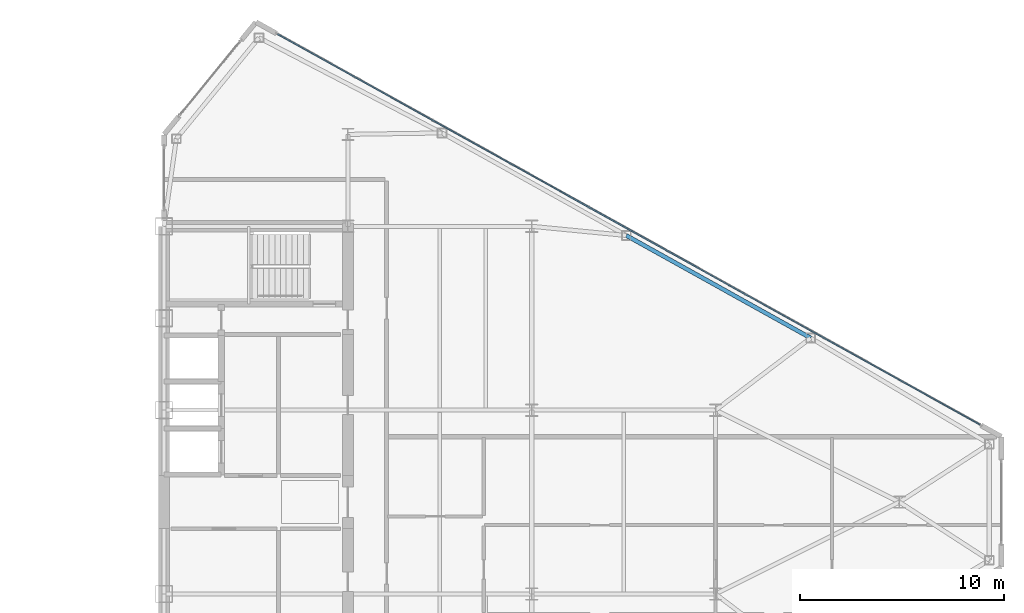
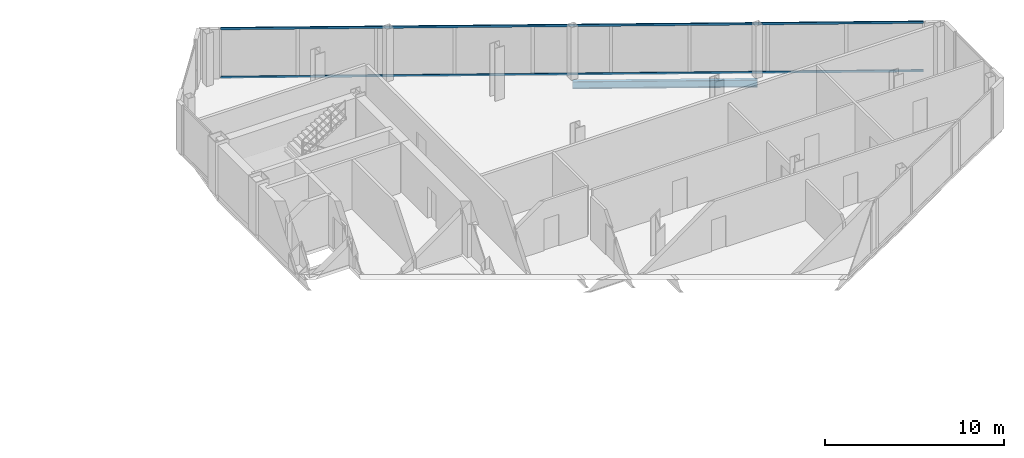
# One storey, part 16 of 25: 2 members, 1 beam, 1 element without a shape of its own.
"""IFC4 building model written with IfcOpenShell, lengths in metres."""

from ifc_helpers import new_model, si_unit, direction, frame, origin, origin_2d, place, context, subcontext, project, spatial, rectangle, i_section, extrude, source, transform, mapped, material, layer, layer_set, material_profile, profile_set, type_object, type_shapes, element, aggregate, save


model = new_model("IFC4")

# Units and contexts
model_context = context("Model", 3, precision=1e-05, world=origin(), true_north=direction((0.0, 1.0)))
body_context = subcontext(model_context, "Body", "Model", "MODEL_VIEW")
ifc_project = project(units=[si_unit("LENGTHUNIT", "METRE"), si_unit("AREAUNIT", "SQUARE_METRE"), si_unit("VOLUMEUNIT", "CUBIC_METRE"), si_unit("PLANEANGLEUNIT", "RADIAN"), si_unit("MASSUNIT", "GRAM", prefix="KILO")], contexts=[model_context])

# Site, building, storey
site_placement = place(None, origin())
site = spatial("IfcSite", under=ifc_project, at=site_placement, CompositionType="ELEMENT")
building_placement = place(site_placement, origin())
building = spatial("IfcBuilding", under=site, at=building_placement, Name="Seokmaru Belvedere", CompositionType="ELEMENT")
storey_placement = place(building_placement, frame((0.0, 0.0, 188.699951171875)))
storey = spatial("IfcBuildingStorey", under=building, at=storey_placement, Name="L50", CompositionType="ELEMENT", Elevation=188.699951171875)

# Beam
ifc_material_1 = material(Name="Steel SM355 (355 MPa)", Category="steel")
ifc_material_profile_1 = material_profile(ifc_material_1, i_section(OverallWidth=0.199951171875, OverallDepth=0.5, WebThickness=0.010009765625, FlangeThickness=0.01611328125, at=origin_2d()), Name="H-500x200x10x16")
ifc_profile_set_1 = profile_set([ifc_material_profile_1], Name="Steel SM355 (355 MPa)")
beam_type = type_object("IfcBeamType", Name="Perimeter Spandrel Beam H-500", PredefinedType="SPANDREL", material=ifc_profile_set_1)
shared_shape_1 = source(origin(), body_context, "Body", "SweptSolid", [
    extrude(i_section(OverallWidth=0.199951171875, OverallDepth=0.5, WebThickness=0.010009765625, FlangeThickness=0.01611328125, at=origin_2d()), origin(), (0.0, 0.0, 1.0), 10.327392578125),
])
type_shapes(beam_type, [shared_shape_1])
beam_placement = place(storey_placement, frame((50.129150390625, 13.051025390625, -0.469970703125), z_axis=(0.873934162361, -0.48604431882, 0.0), x_axis=(0.48604431882, 0.873934162361, 0.0)))
element("IfcBeam", 1, at=beam_placement, inside=storey, type_object=beam_type, Name="L50 E Faceted Flank Spandrel N-3", PredefinedType="SPANDREL", context=body_context, shape_type="MappedRepresentation", body=[
    mapped(shared_shape_1, transform((0.0, 0.0, 0.0), scale=1.0)),
])

# Curtain wall, members
ifc_material_2 = material(Name="Bronze Triple Insulating Glass", Category="glass")
ifc_layer = layer(ifc_material_2, 0.179931640625)
ifc_layer_set = layer_set([ifc_layer], Name="Bronze Triple Insulating Glass")
curtain_wall_type = type_object("IfcCurtainWallType", Name="High-Rise Wind-Corner Curtain Wall System CW-5", PredefinedType="NOTDEFINED", material=ifc_layer_set)
curtain_wall_placement = place(storey_placement, origin())
curtain_wall = element("IfcCurtainWall", 2, at=curtain_wall_placement, inside=storey, type_object=curtain_wall_type, Name="L50 Curtain Wall EF3", PredefinedType="NOTDEFINED")
ifc_material_3 = material(Name="Anodised Bronze Aluminium", Category="aluminium")
ifc_material_profile_2 = material_profile(ifc_material_3, rectangle(XDim=0.06494140625, YDim=0.14990234375, at=origin_2d()), Name="CW-T-65x150")
ifc_profile_set_2 = profile_set([ifc_material_profile_2], Name="Anodised Bronze Aluminium")
member_type = type_object("IfcMemberType", Name="Bronze Unitised Transom 65x150", PredefinedType="USERDEFINED", material=ifc_profile_set_2)
shared_shape_2 = source(origin(), body_context, "Body", "SweptSolid", [
    extrude(rectangle(XDim=0.06494140625, YDim=0.14990234375, at=origin_2d()), origin(), (0.0, 0.0, 1.0), 39.33544921875),
])
type_shapes(member_type, [shared_shape_2])
member_1_placement = place(storey_placement, frame((67.438232421875, 3.79052734375, 0.032470703125), z_axis=(-0.873932045133, 0.486048125693, 0.0), x_axis=(-0.486048125693, -0.873932045133, 0.0)))
member_1 = element("IfcMember", 3, at=member_1_placement, type_object=member_type, Name="CW:L50:EF3 Continuous Transom 1", ObjectType="TRANSOM", PredefinedType="USERDEFINED", context=body_context, shape_type="MappedRepresentation", body=[
    mapped(shared_shape_2, transform((0.0, 0.0, 0.0), scale=1.0)),
])
member_2_placement = place(storey_placement, frame((67.438232421875, 3.79052734375, 3.34765625), z_axis=(-0.873932045133, 0.486048125693, 0.0), x_axis=(-0.486048125693, -0.873932045133, 0.0)))
member_2 = element("IfcMember", 4, at=member_2_placement, type_object=member_type, Name="CW:L50:EF3 Continuous Transom 2", ObjectType="TRANSOM", PredefinedType="USERDEFINED", context=body_context, shape_type="MappedRepresentation", body=[
    mapped(shared_shape_2, transform((0.0, 0.0, 0.0), scale=1.0)),
])
aggregate(curtain_wall, [member_1, member_2])

save(model, "model.ifc")
